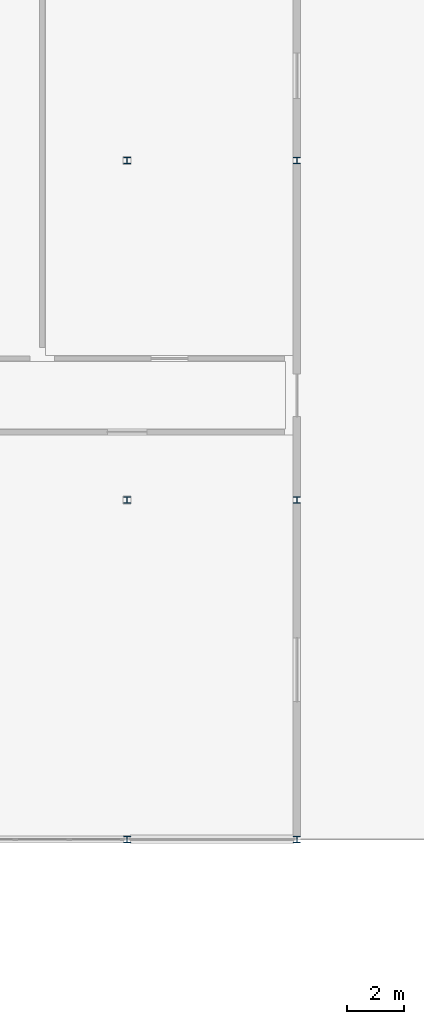
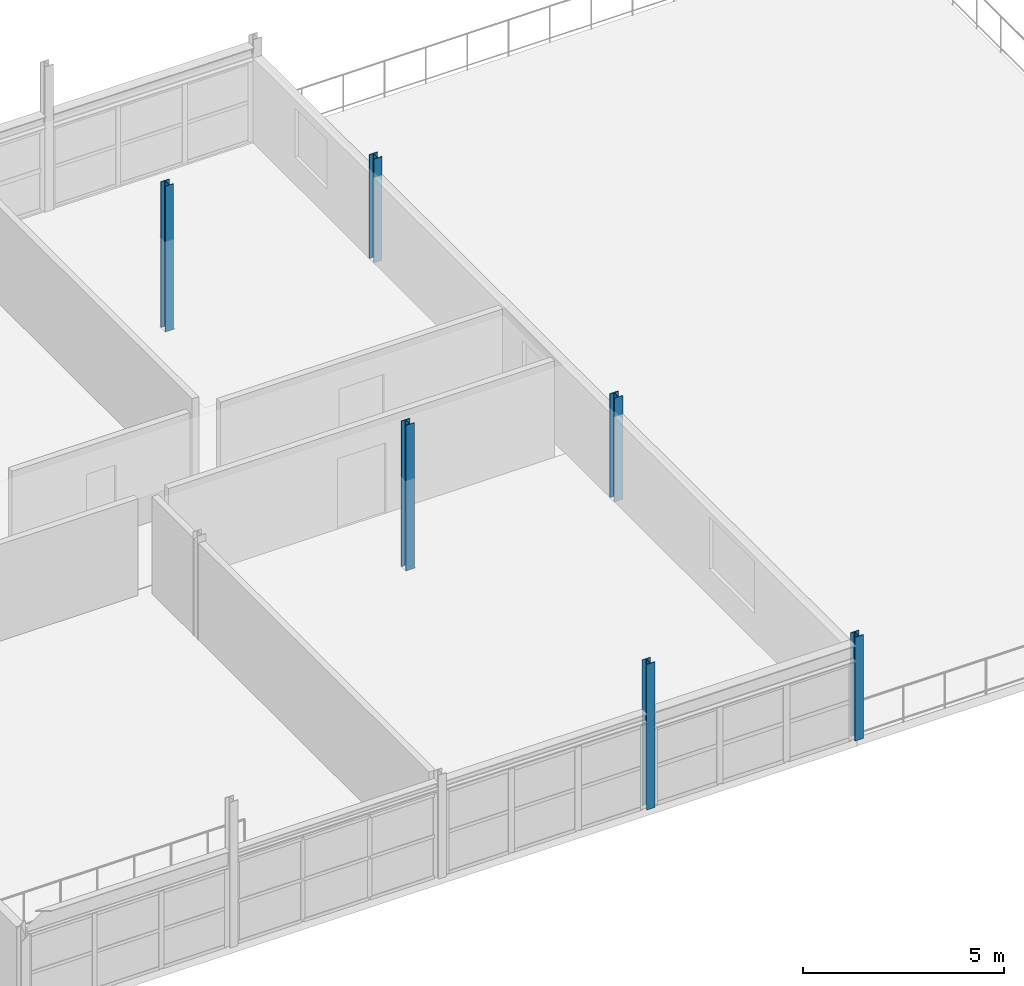
# One storey, part 11 of 137: 6 columns.
"""IFC4 building model written with IfcOpenShell, lengths in metres."""

from ifc_helpers import new_model, si_unit, direction, frame, origin, origin_2d, place, context, subcontext, project, spatial, i_section, extrude, material, material_profile, profile_set, type_object, element, save


model = new_model("IFC4")

# Units and contexts
model_context = context("Model", 3, precision=1e-05, world=origin(), true_north=direction((0.0, 1.0)))
body_context = subcontext(model_context, "Body", "Model", "MODEL_VIEW")
ifc_project = project(units=[si_unit("LENGTHUNIT", "METRE"), si_unit("AREAUNIT", "SQUARE_METRE"), si_unit("VOLUMEUNIT", "CUBIC_METRE"), si_unit("PLANEANGLEUNIT", "RADIAN"), si_unit("MASSUNIT", "GRAM", prefix="KILO"), si_unit("POWERUNIT", "WATT"), si_unit("THERMODYNAMICTEMPERATUREUNIT", "KELVIN")], contexts=[model_context])

# Site, building, storey
site_placement = place(None, origin())
site = spatial("IfcSite", under=ifc_project, at=site_placement, CompositionType="ELEMENT")
building_placement = place(site_placement, origin())
building = spatial("IfcBuilding", under=site, at=building_placement, Name="Ruvembo Vaulted Housing Court", CompositionType="ELEMENT")
storey_placement = place(building_placement, frame((0.0, 0.0, 4.5)))
storey = spatial("IfcBuildingStorey", under=building, at=storey_placement, Name="L01", CompositionType="ELEMENT", Elevation=4.5)

# Columns
ifc_material = material(Name="Steel S355J2", Category="steel")
ifc_material_profile = material_profile(ifc_material, i_section(OverallWidth=0.239990234375, OverallDepth=0.239990234375, WebThickness=0.010009765625, FlangeThickness=0.01708984375, FilletRadius=0.02099609375, at=origin_2d()), Name="HEB 240")
ifc_profile_set = profile_set([ifc_material_profile], Name="Steel S355J2")
column_type = type_object("IfcColumnType", Name="COL-ST-HEB240", PredefinedType="COLUMN", material=ifc_profile_set)
for number, where, z_axis, x_axis, name in (
    (1, (162.0, 6.0, 0.0), (0.0, 0.0, 1.0), (1.0, 0.0, 0.0), "L01 Column (162,6)"),
    (2, (162.0, 18.0, 0.0), (0.0, 0.0, 1.0), (1.0, 0.0, 0.0), "L01 Column (162,18)"),
    (3, (162.0, 30.0, 0.0), (0.0, 0.0, 1.0), (1.0, 0.0, 0.0), "L01 Column (162,30)"),
):
    element("IfcColumn", number, at=place(storey_placement, frame(where, z_axis=z_axis, x_axis=x_axis)), inside=storey, type_object=column_type, Name=name, PredefinedType="COLUMN", context=body_context, shape_type="SweptSolid", body=[
        extrude(i_section(OverallWidth=0.239990234375, OverallDepth=0.239990234375, WebThickness=0.010009765625, FlangeThickness=0.01708984375, FilletRadius=0.02099609375, at=origin_2d()), origin(), (0.0, 0.0, 1.0), 4.435302734375),
    ])
for number, where, z_axis, x_axis, name in (
    (4, (168.0, 6.0, 0.0), (0.0, 0.0, 1.0), (1.0, 0.0, 0.0), "L01 Column (168,6)"),
    (5, (168.0, 18.0, 0.0), (0.0, 0.0, 1.0), (1.0, 0.0, 0.0), "L01 Column (168,18)"),
    (6, (168.0, 30.0, 0.0), (0.0, 0.0, 1.0), (1.0, 0.0, 0.0), "L01 Column (168,30)"),
):
    element("IfcColumn", number, at=place(storey_placement, frame(where, z_axis=z_axis, x_axis=x_axis)), inside=storey, type_object=column_type, Name=name, PredefinedType="COLUMN", context=body_context, shape_type="SweptSolid", body=[
        extrude(i_section(OverallWidth=0.239990234375, OverallDepth=0.239990234375, WebThickness=0.010009765625, FlangeThickness=0.01708984375, FilletRadius=0.02099609375, at=origin_2d()), origin(), (0.0, 0.0, 1.0), 3.159912109375),
    ])

save(model, "model.ifc")
